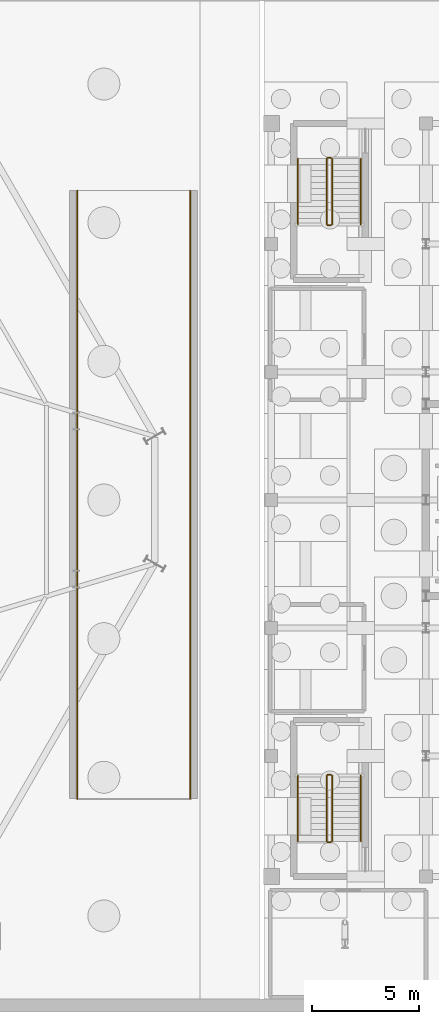
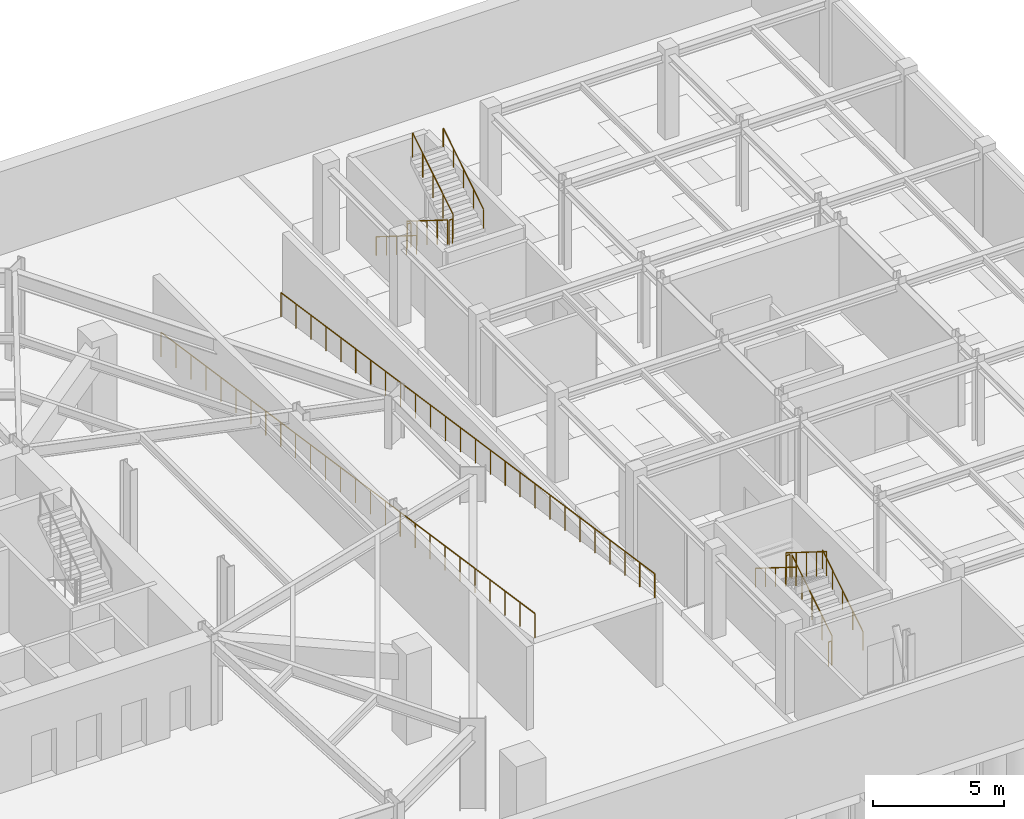
# One storey, part 17 of 18: 14 railings.
"""IFC4 building model written with IfcOpenShell, lengths in metres."""

from ifc_helpers import new_model, si_unit, direction, frame, origin, origin_2d, place, context, subcontext, project, spatial, circle, extrude, material, type_object, element, save


model = new_model("IFC4")

# Units and contexts
model_context = context("Model", 3, precision=1e-05, world=origin(), true_north=direction((0.0, 1.0)))
body_context = subcontext(model_context, "Body", "Model", "MODEL_VIEW")
ifc_project = project(units=[si_unit("LENGTHUNIT", "METRE"), si_unit("AREAUNIT", "SQUARE_METRE"), si_unit("VOLUMEUNIT", "CUBIC_METRE"), si_unit("PLANEANGLEUNIT", "RADIAN"), si_unit("MASSUNIT", "GRAM", prefix="KILO")], contexts=[model_context])

# Site, building, storey
site_placement = place(None, origin())
site = spatial("IfcSite", under=ifc_project, at=site_placement, CompositionType="ELEMENT")
building_placement = place(site_placement, origin())
building = spatial("IfcBuilding", under=site, at=building_placement, Name="Kranzbogen Civic Tower", CompositionType="ELEMENT")
storey_placement = place(building_placement, frame((0.0, 0.0, -8.39990234375)))
storey = spatial("IfcBuildingStorey", under=building, at=storey_placement, Name="B02", CompositionType="ELEMENT", Elevation=-8.39990234375)

# Railings
ifc_material_1 = material(Name="Steel S355", Category="steel")
railing_type_1 = type_object("IfcRailingType", Name="Internal Stair and Void Steel Guardrail 1150", PredefinedType="GUARDRAIL", material=ifc_material_1)
railing_1_placement = place(storey_placement, frame((55.199951171875, 9.0, 0.1748046875)))
element("IfcRailing", 1, at=railing_1_placement, inside=storey, type_object=railing_type_1, Name="B02 ST-H1 stair guard 1", PredefinedType="GUARDRAIL", context=body_context, shape_type="SweptSolid", body=[
    extrude(circle(Radius=0.02392578125, at=origin_2d()), frame((0.0, 0.0, 1.1259765625), z_axis=(0.0, 0.847998304005, 0.529998940003), x_axis=(-1.0, 0.0, 0.0)), (0.0, 0.0, 1.0), 3.632080078125),
    extrude(circle(Radius=0.02099609375, at=origin_2d()), origin(), (0.0, 0.0, 1.0), 1.101806640625),
    extrude(circle(Radius=0.02099609375, at=origin_2d()), frame((0.0, 0.77001953125, 0.481201171875)), (0.0, 0.0, 1.0), 1.101806640625),
    extrude(circle(Radius=0.02099609375, at=origin_2d()), frame((0.0, 1.5400390625, 0.96240234375)), (0.0, 0.0, 1.0), 1.101806640625),
    extrude(circle(Radius=0.02099609375, at=origin_2d()), frame((0.0, 2.31005859375, 1.44384765625)), (0.0, 0.0, 1.0), 1.101806640625),
    extrude(circle(Radius=0.02099609375, at=origin_2d()), frame((0.0, 3.080078125, 1.925048828125)), (0.0, 0.0, 1.0), 1.101806640625),
])
railing_2_placement = place(storey_placement, frame((55.14990234375, 12.1298828125, 2.099853515625)))
element("IfcRailing", 2, at=railing_2_placement, inside=storey, type_object=railing_type_1, Name="B02 ST-H1 stair guard 2", PredefinedType="GUARDRAIL", context=body_context, shape_type="SweptSolid", body=[
    extrude(circle(Radius=0.02392578125, at=origin_2d()), frame((0.0, 0.0, 1.1259765625), z_axis=(-1.0, 0.0, 0.0), x_axis=(0.0, -1.0, 0.0)), (0.0, 0.0, 1.0), 0.14990234375),
    extrude(circle(Radius=0.02099609375, at=origin_2d()), origin(), (0.0, 0.0, 1.0), 1.101806640625),
    extrude(circle(Radius=0.02099609375, at=origin_2d()), frame((-0.14990234375, 0.0, 0.0)), (0.0, 0.0, 1.0), 1.101806640625),
])
railing_3_placement = place(storey_placement, frame((54.949951171875, 12.080078125, 2.27490234375)))
element("IfcRailing", 3, at=railing_3_placement, inside=storey, type_object=railing_type_1, Name="B02 ST-H1 stair guard 3", PredefinedType="GUARDRAIL", context=body_context, shape_type="SweptSolid", body=[
    extrude(circle(Radius=0.02392578125, at=origin_2d()), frame((0.0, 0.0, 1.1259765625), z_axis=(0.0, -0.847998304005, 0.529998940003), x_axis=(1.0, 0.0, 0.0)), (0.0, 0.0, 1.0), 3.632080078125),
    extrude(circle(Radius=0.02099609375, at=origin_2d()), origin(), (0.0, 0.0, 1.0), 1.101806640625),
    extrude(circle(Radius=0.02099609375, at=origin_2d()), frame((0.0, -0.77001953125, 0.481201171875)), (0.0, 0.0, 1.0), 1.101806640625),
    extrude(circle(Radius=0.02099609375, at=origin_2d()), frame((0.0, -1.5400390625, 0.96240234375)), (0.0, 0.0, 1.0), 1.101806640625),
    extrude(circle(Radius=0.02099609375, at=origin_2d()), frame((0.0, -2.31005859375, 1.44384765625)), (0.0, 0.0, 1.0), 1.101806640625),
    extrude(circle(Radius=0.02099609375, at=origin_2d()), frame((0.0, -3.080078125, 1.925048828125)), (0.0, 0.0, 1.0), 1.101806640625),
])
railing_4_placement = place(storey_placement, frame((55.14990234375, 8.949951171875, 0.0)))
element("IfcRailing", 4, at=railing_4_placement, inside=storey, type_object=railing_type_1, Name="B02 ST-H1 stair guard 4", PredefinedType="GUARDRAIL", context=body_context, shape_type="SweptSolid", body=[
    extrude(circle(Radius=0.02392578125, at=origin_2d()), frame((0.0, 0.0, 1.1259765625), z_axis=(-1.0, 0.0, 0.0), x_axis=(0.0, -1.0, 0.0)), (0.0, 0.0, 1.0), 0.14990234375),
    extrude(circle(Radius=0.02099609375, at=origin_2d()), origin(), (0.0, 0.0, 1.0), 1.101806640625),
    extrude(circle(Radius=0.02099609375, at=origin_2d()), frame((-0.14990234375, 0.0, 0.0)), (0.0, 0.0, 1.0), 1.101806640625),
])
railing_5_placement = place(storey_placement, frame((54.949951171875, 41.0, 0.1748046875)))
element("IfcRailing", 5, at=railing_5_placement, inside=storey, type_object=railing_type_1, Name="B02 ST-H2 stair guard 1", PredefinedType="GUARDRAIL", context=body_context, shape_type="SweptSolid", body=[
    extrude(circle(Radius=0.02392578125, at=origin_2d()), frame((0.0, 0.0, 1.1259765625), z_axis=(0.0, -0.847998304005, 0.529998940003), x_axis=(1.0, 0.0, 0.0)), (0.0, 0.0, 1.0), 3.632080078125),
    extrude(circle(Radius=0.02099609375, at=origin_2d()), origin(), (0.0, 0.0, 1.0), 1.101806640625),
    extrude(circle(Radius=0.02099609375, at=origin_2d()), frame((0.0, -0.77001953125, 0.481201171875)), (0.0, 0.0, 1.0), 1.101806640625),
    extrude(circle(Radius=0.02099609375, at=origin_2d()), frame((0.0, -1.5400390625, 0.96240234375)), (0.0, 0.0, 1.0), 1.101806640625),
    extrude(circle(Radius=0.02099609375, at=origin_2d()), frame((0.0, -2.31005859375, 1.44384765625)), (0.0, 0.0, 1.0), 1.101806640625),
    extrude(circle(Radius=0.02099609375, at=origin_2d()), frame((0.0, -3.080078125, 1.925048828125)), (0.0, 0.0, 1.0), 1.101806640625),
])
railing_6_placement = place(storey_placement, frame((55.0, 37.8701171875, 2.099853515625)))
element("IfcRailing", 6, at=railing_6_placement, inside=storey, type_object=railing_type_1, Name="B02 ST-H2 stair guard 2", PredefinedType="GUARDRAIL", context=body_context, shape_type="SweptSolid", body=[
    extrude(circle(Radius=0.02392578125, at=origin_2d()), frame((0.0, 0.0, 1.1259765625), z_axis=(1.0, 0.0, 0.0), x_axis=(0.0, 1.0, 0.0)), (0.0, 0.0, 1.0), 0.14990234375),
    extrude(circle(Radius=0.02099609375, at=origin_2d()), origin(), (0.0, 0.0, 1.0), 1.101806640625),
    extrude(circle(Radius=0.02099609375, at=origin_2d()), frame((0.14990234375, 0.0, 0.0)), (0.0, 0.0, 1.0), 1.101806640625),
])
railing_7_placement = place(storey_placement, frame((55.199951171875, 37.919921875, 2.27490234375)))
element("IfcRailing", 7, at=railing_7_placement, inside=storey, type_object=railing_type_1, Name="B02 ST-H2 stair guard 3", PredefinedType="GUARDRAIL", context=body_context, shape_type="SweptSolid", body=[
    extrude(circle(Radius=0.02392578125, at=origin_2d()), frame((0.0, 0.0, 1.1259765625), z_axis=(0.0, 0.847998304005, 0.529998940003), x_axis=(-1.0, 0.0, 0.0)), (0.0, 0.0, 1.0), 3.632080078125),
    extrude(circle(Radius=0.02099609375, at=origin_2d()), origin(), (0.0, 0.0, 1.0), 1.101806640625),
    extrude(circle(Radius=0.02099609375, at=origin_2d()), frame((0.0, 0.77001953125, 0.481201171875)), (0.0, 0.0, 1.0), 1.101806640625),
    extrude(circle(Radius=0.02099609375, at=origin_2d()), frame((0.0, 1.5400390625, 0.96240234375)), (0.0, 0.0, 1.0), 1.101806640625),
    extrude(circle(Radius=0.02099609375, at=origin_2d()), frame((0.0, 2.31005859375, 1.44384765625)), (0.0, 0.0, 1.0), 1.101806640625),
    extrude(circle(Radius=0.02099609375, at=origin_2d()), frame((0.0, 3.080078125, 1.925048828125)), (0.0, 0.0, 1.0), 1.101806640625),
])
railing_8_placement = place(storey_placement, frame((55.0, 41.050048828125, 0.0)))
element("IfcRailing", 8, at=railing_8_placement, inside=storey, type_object=railing_type_1, Name="B02 ST-H2 stair guard 4", PredefinedType="GUARDRAIL", context=body_context, shape_type="SweptSolid", body=[
    extrude(circle(Radius=0.02392578125, at=origin_2d()), frame((0.0, 0.0, 1.1259765625), z_axis=(1.0, 0.0, 0.0), x_axis=(0.0, 1.0, 0.0)), (0.0, 0.0, 1.0), 0.14990234375),
    extrude(circle(Radius=0.02099609375, at=origin_2d()), origin(), (0.0, 0.0, 1.0), 1.101806640625),
    extrude(circle(Radius=0.02099609375, at=origin_2d()), frame((0.14990234375, 0.0, 0.0)), (0.0, 0.0, 1.0), 1.101806640625),
])
railing_9_placement = place(storey_placement, frame((43.260009765625, 39.5, 0.0)))
element("IfcRailing", 9, at=railing_9_placement, inside=storey, type_object=railing_type_1, Name="B02 vehicle ramp FL1 W safety guardrail", PredefinedType="GUARDRAIL", context=body_context, shape_type="SweptSolid", body=[
    extrude(circle(Radius=0.02392578125, at=origin_2d()), frame((0.0, 0.0, 1.1259765625), z_axis=(0.0, -0.989315245327, 0.145792130665), x_axis=(1.0, 0.0, 0.0)), (0.0, 0.0, 1.0), 28.807861328125),
    extrude(circle(Radius=0.02099609375, at=origin_2d()), origin(), (0.0, 0.0, 1.0), 1.101806640625),
    extrude(circle(Radius=0.02099609375, at=origin_2d()), frame((0.0, -1.139892578125, 0.16796875)), (0.0, 0.0, 1.0), 1.101806640625),
    extrude(circle(Radius=0.02099609375, at=origin_2d()), frame((0.0, -2.280029296875, 0.3359375)), (0.0, 0.0, 1.0), 1.101806640625),
    extrude(circle(Radius=0.02099609375, at=origin_2d()), frame((0.0, -3.419921875, 0.50390625)), (0.0, 0.0, 1.0), 1.101806640625),
    extrude(circle(Radius=0.02099609375, at=origin_2d()), frame((0.0, -4.56005859375, 0.671875)), (0.0, 0.0, 1.0), 1.101806640625),
    extrude(circle(Radius=0.02099609375, at=origin_2d()), frame((0.0, -5.699951171875, 0.840087890625)), (0.0, 0.0, 1.0), 1.101806640625),
    extrude(circle(Radius=0.02099609375, at=origin_2d()), frame((0.0, -6.840087890625, 1.008056640625)), (0.0, 0.0, 1.0), 1.101806640625),
    extrude(circle(Radius=0.02099609375, at=origin_2d()), frame((0.0, -7.97998046875, 1.176025390625)), (0.0, 0.0, 1.0), 1.101806640625),
    extrude(circle(Radius=0.02099609375, at=origin_2d()), frame((0.0, -9.1201171875, 1.343994140625)), (0.0, 0.0, 1.0), 1.101806640625),
    extrude(circle(Radius=0.02099609375, at=origin_2d()), frame((0.0, -10.260009765625, 1.511962890625)), (0.0, 0.0, 1.0), 1.101806640625),
    extrude(circle(Radius=0.02099609375, at=origin_2d()), frame((0.0, -11.39990234375, 1.679931640625)), (0.0, 0.0, 1.0), 1.101806640625),
    extrude(circle(Radius=0.02099609375, at=origin_2d()), frame((0.0, -12.5400390625, 1.847900390625)), (0.0, 0.0, 1.0), 1.101806640625),
    extrude(circle(Radius=0.02099609375, at=origin_2d()), frame((0.0, -13.679931640625, 2.015869140625)), (0.0, 0.0, 1.0), 1.101806640625),
    extrude(circle(Radius=0.02099609375, at=origin_2d()), frame((0.0, -14.820068359375, 2.18408203125)), (0.0, 0.0, 1.0), 1.101806640625),
    extrude(circle(Radius=0.02099609375, at=origin_2d()), frame((0.0, -15.9599609375, 2.35205078125)), (0.0, 0.0, 1.0), 1.101806640625),
    extrude(circle(Radius=0.02099609375, at=origin_2d()), frame((0.0, -17.10009765625, 2.52001953125)), (0.0, 0.0, 1.0), 1.101806640625),
    extrude(circle(Radius=0.02099609375, at=origin_2d()), frame((0.0, -18.239990234375, 2.68798828125)), (0.0, 0.0, 1.0), 1.101806640625),
    extrude(circle(Radius=0.02099609375, at=origin_2d()), frame((0.0, -19.3798828125, 2.85595703125)), (0.0, 0.0, 1.0), 1.101806640625),
    extrude(circle(Radius=0.02099609375, at=origin_2d()), frame((0.0, -20.52001953125, 3.02392578125)), (0.0, 0.0, 1.0), 1.101806640625),
    extrude(circle(Radius=0.02099609375, at=origin_2d()), frame((0.0, -21.659912109375, 3.19189453125)), (0.0, 0.0, 1.0), 1.101806640625),
    extrude(circle(Radius=0.02099609375, at=origin_2d()), frame((0.0, -22.800048828125, 3.35986328125)), (0.0, 0.0, 1.0), 1.101806640625),
    extrude(circle(Radius=0.02099609375, at=origin_2d()), frame((0.0, -23.93994140625, 3.528076171875)), (0.0, 0.0, 1.0), 1.101806640625),
    extrude(circle(Radius=0.02099609375, at=origin_2d()), frame((0.0, -25.080078125, 3.696044921875)), (0.0, 0.0, 1.0), 1.101806640625),
    extrude(circle(Radius=0.02099609375, at=origin_2d()), frame((0.0, -26.219970703125, 3.864013671875)), (0.0, 0.0, 1.0), 1.101806640625),
    extrude(circle(Radius=0.02099609375, at=origin_2d()), frame((0.0, -27.360107421875, 4.031982421875)), (0.0, 0.0, 1.0), 1.101806640625),
    extrude(circle(Radius=0.02099609375, at=origin_2d()), frame((0.0, -28.5, 4.199951171875)), (0.0, 0.0, 1.0), 1.101806640625),
])
railing_10_placement = place(storey_placement, frame((48.5400390625, 39.5, 0.0)))
element("IfcRailing", 10, at=railing_10_placement, inside=storey, type_object=railing_type_1, Name="B02 vehicle ramp FL1 E safety guardrail", PredefinedType="GUARDRAIL", context=body_context, shape_type="SweptSolid", body=[
    extrude(circle(Radius=0.02392578125, at=origin_2d()), frame((0.0, 0.0, 1.1259765625), z_axis=(0.0, -0.989315245327, 0.145792130665), x_axis=(1.0, 0.0, 0.0)), (0.0, 0.0, 1.0), 28.807861328125),
    extrude(circle(Radius=0.02099609375, at=origin_2d()), origin(), (0.0, 0.0, 1.0), 1.101806640625),
    extrude(circle(Radius=0.02099609375, at=origin_2d()), frame((0.0, -1.139892578125, 0.16796875)), (0.0, 0.0, 1.0), 1.101806640625),
    extrude(circle(Radius=0.02099609375, at=origin_2d()), frame((0.0, -2.280029296875, 0.3359375)), (0.0, 0.0, 1.0), 1.101806640625),
    extrude(circle(Radius=0.02099609375, at=origin_2d()), frame((0.0, -3.419921875, 0.50390625)), (0.0, 0.0, 1.0), 1.101806640625),
    extrude(circle(Radius=0.02099609375, at=origin_2d()), frame((0.0, -4.56005859375, 0.671875)), (0.0, 0.0, 1.0), 1.101806640625),
    extrude(circle(Radius=0.02099609375, at=origin_2d()), frame((0.0, -5.699951171875, 0.840087890625)), (0.0, 0.0, 1.0), 1.101806640625),
    extrude(circle(Radius=0.02099609375, at=origin_2d()), frame((0.0, -6.840087890625, 1.008056640625)), (0.0, 0.0, 1.0), 1.101806640625),
    extrude(circle(Radius=0.02099609375, at=origin_2d()), frame((0.0, -7.97998046875, 1.176025390625)), (0.0, 0.0, 1.0), 1.101806640625),
    extrude(circle(Radius=0.02099609375, at=origin_2d()), frame((0.0, -9.1201171875, 1.343994140625)), (0.0, 0.0, 1.0), 1.101806640625),
    extrude(circle(Radius=0.02099609375, at=origin_2d()), frame((0.0, -10.260009765625, 1.511962890625)), (0.0, 0.0, 1.0), 1.101806640625),
    extrude(circle(Radius=0.02099609375, at=origin_2d()), frame((0.0, -11.39990234375, 1.679931640625)), (0.0, 0.0, 1.0), 1.101806640625),
    extrude(circle(Radius=0.02099609375, at=origin_2d()), frame((0.0, -12.5400390625, 1.847900390625)), (0.0, 0.0, 1.0), 1.101806640625),
    extrude(circle(Radius=0.02099609375, at=origin_2d()), frame((0.0, -13.679931640625, 2.015869140625)), (0.0, 0.0, 1.0), 1.101806640625),
    extrude(circle(Radius=0.02099609375, at=origin_2d()), frame((0.0, -14.820068359375, 2.18408203125)), (0.0, 0.0, 1.0), 1.101806640625),
    extrude(circle(Radius=0.02099609375, at=origin_2d()), frame((0.0, -15.9599609375, 2.35205078125)), (0.0, 0.0, 1.0), 1.101806640625),
    extrude(circle(Radius=0.02099609375, at=origin_2d()), frame((0.0, -17.10009765625, 2.52001953125)), (0.0, 0.0, 1.0), 1.101806640625),
    extrude(circle(Radius=0.02099609375, at=origin_2d()), frame((0.0, -18.239990234375, 2.68798828125)), (0.0, 0.0, 1.0), 1.101806640625),
    extrude(circle(Radius=0.02099609375, at=origin_2d()), frame((0.0, -19.3798828125, 2.85595703125)), (0.0, 0.0, 1.0), 1.101806640625),
    extrude(circle(Radius=0.02099609375, at=origin_2d()), frame((0.0, -20.52001953125, 3.02392578125)), (0.0, 0.0, 1.0), 1.101806640625),
    extrude(circle(Radius=0.02099609375, at=origin_2d()), frame((0.0, -21.659912109375, 3.19189453125)), (0.0, 0.0, 1.0), 1.101806640625),
    extrude(circle(Radius=0.02099609375, at=origin_2d()), frame((0.0, -22.800048828125, 3.35986328125)), (0.0, 0.0, 1.0), 1.101806640625),
    extrude(circle(Radius=0.02099609375, at=origin_2d()), frame((0.0, -23.93994140625, 3.528076171875)), (0.0, 0.0, 1.0), 1.101806640625),
    extrude(circle(Radius=0.02099609375, at=origin_2d()), frame((0.0, -25.080078125, 3.696044921875)), (0.0, 0.0, 1.0), 1.101806640625),
    extrude(circle(Radius=0.02099609375, at=origin_2d()), frame((0.0, -26.219970703125, 3.864013671875)), (0.0, 0.0, 1.0), 1.101806640625),
    extrude(circle(Radius=0.02099609375, at=origin_2d()), frame((0.0, -27.360107421875, 4.031982421875)), (0.0, 0.0, 1.0), 1.101806640625),
    extrude(circle(Radius=0.02099609375, at=origin_2d()), frame((0.0, -28.5, 4.199951171875)), (0.0, 0.0, 1.0), 1.101806640625),
])
ifc_material_2 = material(Name="Pale Anodised Aluminium", Category="aluminium")
railing_type_2 = type_object("IfcRailingType", Name="Tubular Stainless Stair Wall Handrail 900", PredefinedType="HANDRAIL", material=ifc_material_2)
railing_11_placement = place(storey_placement, frame((56.550048828125, 9.0, 0.1748046875)))
element("IfcRailing", 11, at=railing_11_placement, inside=storey, type_object=railing_type_2, Name="B02 ST-H1 stair handrail 1", PredefinedType="HANDRAIL", context=body_context, shape_type="SweptSolid", body=[
    extrude(circle(Radius=0.02392578125, at=origin_2d()), frame((0.0, 0.0, 0.8759765625), z_axis=(0.0, 0.847998304005, 0.529998940003), x_axis=(-1.0, 0.0, 0.0)), (0.0, 0.0, 1.0), 3.632080078125),
    extrude(circle(Radius=0.02099609375, at=origin_2d()), origin(), (0.0, 0.0, 1.0), 0.851806640625),
    extrude(circle(Radius=0.02099609375, at=origin_2d()), frame((0.0, 0.77001953125, 0.481201171875)), (0.0, 0.0, 1.0), 0.851806640625),
    extrude(circle(Radius=0.02099609375, at=origin_2d()), frame((0.0, 1.5400390625, 0.96240234375)), (0.0, 0.0, 1.0), 0.851806640625),
    extrude(circle(Radius=0.02099609375, at=origin_2d()), frame((0.0, 2.31005859375, 1.44384765625)), (0.0, 0.0, 1.0), 0.851806640625),
    extrude(circle(Radius=0.02099609375, at=origin_2d()), frame((0.0, 3.080078125, 1.925048828125)), (0.0, 0.0, 1.0), 0.851806640625),
])
for number, where, name in (
    (12, (53.60009765625, 12.080078125, 2.27490234375), "B02 ST-H1 stair handrail 2"),
    (13, (53.60009765625, 41.0, 0.1748046875), "B02 ST-H2 stair handrail 1"),
):
    element("IfcRailing", number, at=place(storey_placement, frame(where)), inside=storey, type_object=railing_type_2, Name=name, PredefinedType="HANDRAIL", context=body_context, shape_type="SweptSolid", body=[
        extrude(circle(Radius=0.02392578125, at=origin_2d()), frame((0.0, 0.0, 0.8759765625), z_axis=(0.0, -0.847998304005, 0.529998940003), x_axis=(1.0, 0.0, 0.0)), (0.0, 0.0, 1.0), 3.632080078125),
        extrude(circle(Radius=0.02099609375, at=origin_2d()), origin(), (0.0, 0.0, 1.0), 0.851806640625),
        extrude(circle(Radius=0.02099609375, at=origin_2d()), frame((0.0, -0.77001953125, 0.481201171875)), (0.0, 0.0, 1.0), 0.851806640625),
        extrude(circle(Radius=0.02099609375, at=origin_2d()), frame((0.0, -1.5400390625, 0.96240234375)), (0.0, 0.0, 1.0), 0.851806640625),
        extrude(circle(Radius=0.02099609375, at=origin_2d()), frame((0.0, -2.31005859375, 1.44384765625)), (0.0, 0.0, 1.0), 0.851806640625),
        extrude(circle(Radius=0.02099609375, at=origin_2d()), frame((0.0, -3.080078125, 1.925048828125)), (0.0, 0.0, 1.0), 0.851806640625),
    ])
railing_12_placement = place(storey_placement, frame((56.550048828125, 37.919921875, 2.27490234375)))
element("IfcRailing", 14, at=railing_12_placement, inside=storey, type_object=railing_type_2, Name="B02 ST-H2 stair handrail 2", PredefinedType="HANDRAIL", context=body_context, shape_type="SweptSolid", body=[
    extrude(circle(Radius=0.02392578125, at=origin_2d()), frame((0.0, 0.0, 0.8759765625), z_axis=(0.0, 0.847998304005, 0.529998940003), x_axis=(-1.0, 0.0, 0.0)), (0.0, 0.0, 1.0), 3.632080078125),
    extrude(circle(Radius=0.02099609375, at=origin_2d()), origin(), (0.0, 0.0, 1.0), 0.851806640625),
    extrude(circle(Radius=0.02099609375, at=origin_2d()), frame((0.0, 0.77001953125, 0.481201171875)), (0.0, 0.0, 1.0), 0.851806640625),
    extrude(circle(Radius=0.02099609375, at=origin_2d()), frame((0.0, 1.5400390625, 0.96240234375)), (0.0, 0.0, 1.0), 0.851806640625),
    extrude(circle(Radius=0.02099609375, at=origin_2d()), frame((0.0, 2.31005859375, 1.44384765625)), (0.0, 0.0, 1.0), 0.851806640625),
    extrude(circle(Radius=0.02099609375, at=origin_2d()), frame((0.0, 3.080078125, 1.925048828125)), (0.0, 0.0, 1.0), 0.851806640625),
])

save(model, "model.ifc")
